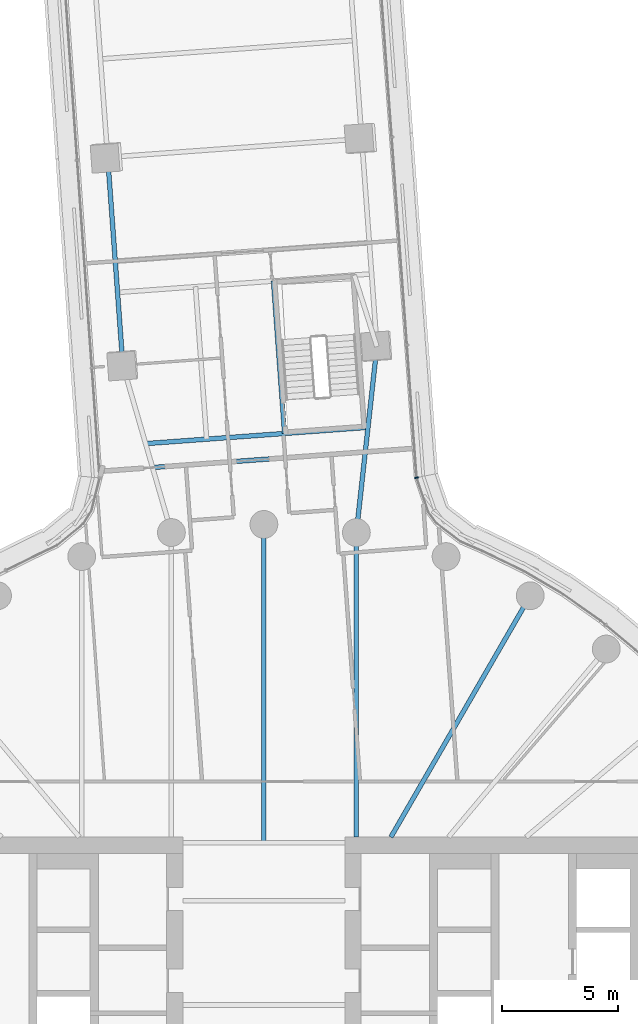
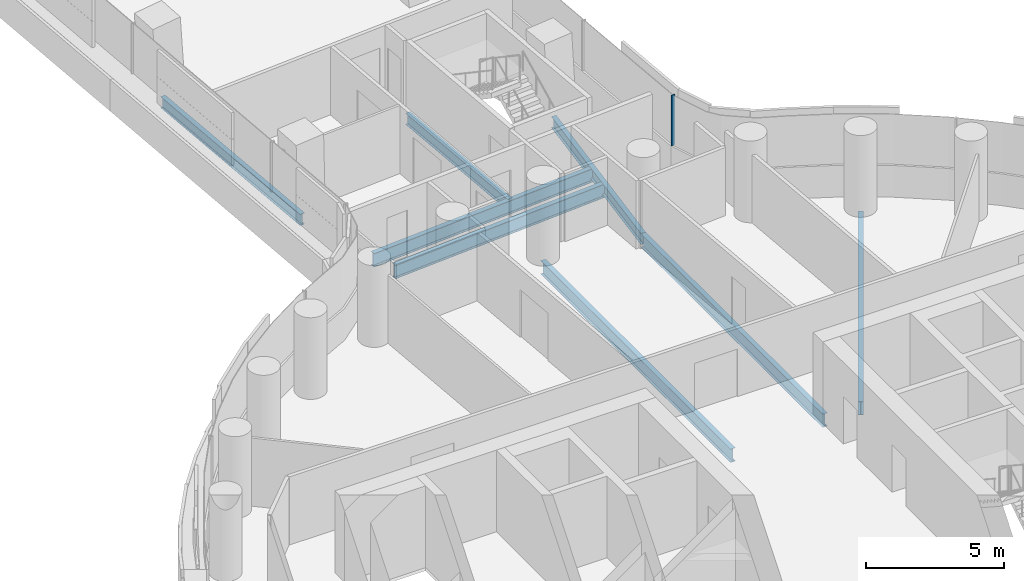
# One storey, part 14 of 31: 8 beams, 1 member, 1 element without a shape of its own.
"""IFC4 building model written with IfcOpenShell, lengths in metres."""

from ifc_helpers import new_model, si_unit, direction, frame, origin, origin_2d, place, context, subcontext, project, spatial, rectangle, i_section, extrude, material, layer, layer_set, material_profile, profile_set, type_object, element, aggregate, save


model = new_model("IFC4")

# Units and contexts
model_context = context("Model", 3, precision=1e-05, world=origin(), true_north=direction((0.0, 1.0)))
body_context = subcontext(model_context, "Body", "Model", "MODEL_VIEW")
ifc_project = project(units=[si_unit("LENGTHUNIT", "METRE"), si_unit("AREAUNIT", "SQUARE_METRE"), si_unit("VOLUMEUNIT", "CUBIC_METRE"), si_unit("PLANEANGLEUNIT", "RADIAN"), si_unit("MASSUNIT", "GRAM", prefix="KILO")], contexts=[model_context])

# Site, building, storey
site_placement = place(None, origin())
site = spatial("IfcSite", under=ifc_project, at=site_placement, CompositionType="ELEMENT")
building_placement = place(site_placement, origin())
building = spatial("IfcBuilding", under=site, at=building_placement, Name="Tamarind Cross Interchange Tower", CompositionType="ELEMENT")
storey_placement = place(building_placement, frame((0.0, 0.0, 49.0)))
storey = spatial("IfcBuildingStorey", under=building, at=storey_placement, Name="L10", CompositionType="ELEMENT", Elevation=49.0)

# Beams
ifc_material_1 = material(Name="Steel Q355B", Category="steel")
ifc_material_profile_1 = material_profile(ifc_material_1, i_section(OverallWidth=0.198974609375, OverallDepth=0.49609375, WebThickness=0.009033203125, FlangeThickness=0.013916015625, FilletRadius=0.012939453125, at=origin_2d()), Name="HN 496x199x9x14")
ifc_profile_set_1 = profile_set([ifc_material_profile_1], Name="Steel Q355B")
beam_type_1 = type_object("IfcBeamType", Name="Composite beam HN 496x199x9x14 Q355B", PredefinedType="BEAM", material=ifc_profile_set_1)
beam_1_placement = place(storey_placement, frame((-6.74609375, 38.853271484375, -0.387939453125), z_axis=(0.072862443863, -0.997341999654, 0.0), x_axis=(0.997341999654, 0.072862443863, 0.0)))
element("IfcBeam", 1, at=beam_1_placement, inside=storey, type_object=beam_type_1, Name="Beam N-edgeep3", PredefinedType="BEAM", context=body_context, shape_type="SweptSolid", body=[
    extrude(i_section(OverallWidth=0.198974609375, OverallDepth=0.49609375, WebThickness=0.009033203125, FlangeThickness=0.013916015625, FilletRadius=0.012939453125, at=origin_2d()), origin(), (0.0, 0.0, 1.0), 9.0),
])
beam_2_placement = place(storey_placement, frame((4.880615234375, 30.6787109375, -0.387939453125), z_axis=(-0.109784570528, -0.993955405475, 0.0), x_axis=(0.993955405475, -0.109784570528, 0.0)))
element("IfcBeam", 2, at=beam_2_placement, inside=storey, type_object=beam_type_1, Name="Beam N-linkem", PredefinedType="BEAM", context=body_context, shape_type="SweptSolid", body=[
    extrude(i_section(OverallWidth=0.198974609375, OverallDepth=0.49609375, WebThickness=0.009033203125, FlangeThickness=0.013916015625, FilletRadius=0.012939453125, at=origin_2d()), origin(), (0.0, 0.0, 1.0), 8.076904296875),
])
beam_3_placement = place(storey_placement, frame((0.893310546875, 26.92822265625, -0.387939453125), z_axis=(-0.072871538843, 0.997341335164, 0.0), x_axis=(-0.997341335164, -0.072871538843, 0.0)))
element("IfcBeam", 3, at=beam_3_placement, inside=storey, type_object=beam_type_1, Name="Beam N-tr1", PredefinedType="BEAM", context=body_context, shape_type="SweptSolid", body=[
    extrude(i_section(OverallWidth=0.198974609375, OverallDepth=0.49609375, WebThickness=0.009033203125, FlangeThickness=0.013916015625, FilletRadius=0.012939453125, at=origin_2d()), origin(), (0.0, 0.0, 1.0), 6.60009765625),
])
ifc_material_profile_2 = material_profile(ifc_material_1, i_section(OverallWidth=0.198974609375, OverallDepth=0.595947265625, WebThickness=0.010009765625, FlangeThickness=0.014892578125, FilletRadius=0.012939453125, at=origin_2d()), Name="HN 596x199x10x15")
ifc_profile_set_2 = profile_set([ifc_material_profile_2], Name="Steel Q355B")
beam_type_2 = type_object("IfcBeamType", Name="Composite beam HN 596x199x10x15 Q355B", PredefinedType="BEAM", material=ifc_profile_set_2)
beam_4_placement = place(storey_placement, frame((11.5, 19.918701171875, -0.43798828125), z_axis=(-0.499993565836, -0.866029118519, 0.0), x_axis=(0.866029118519, -0.499993565836, 0.0)))
element("IfcBeam", 4, at=beam_4_placement, inside=storey, type_object=beam_type_2, Name="Beam HH06", PredefinedType="BEAM", context=body_context, shape_type="SweptSolid", body=[
    extrude(i_section(OverallWidth=0.198974609375, OverallDepth=0.595947265625, WebThickness=0.010009765625, FlangeThickness=0.014892578125, FilletRadius=0.012939453125, at=origin_2d()), origin(), (0.0, 0.0, 1.0), 12.030517578125),
])
beam_5_placement = place(storey_placement, frame((3.993896484375, 22.650634765625, -0.43798828125), z_axis=(0.0, -1.0, 0.0), x_axis=(1.0, 0.0, 0.0)))
element("IfcBeam", 5, at=beam_5_placement, inside=storey, type_object=beam_type_2, Name="Beam HH08", PredefinedType="BEAM", context=body_context, shape_type="SweptSolid", body=[
    extrude(i_section(OverallWidth=0.198974609375, OverallDepth=0.595947265625, WebThickness=0.010009765625, FlangeThickness=0.014892578125, FilletRadius=0.012939453125, at=origin_2d()), origin(), (0.0, 0.0, 1.0), 13.150634765625),
])
beam_6_placement = place(storey_placement, frame((0.0, 23.0, -0.43798828125), z_axis=(0.0, -1.0, 0.0), x_axis=(1.0, 0.0, 0.0)))
element("IfcBeam", 6, at=beam_6_placement, inside=storey, type_object=beam_type_2, Name="Beam HH09", PredefinedType="BEAM", context=body_context, shape_type="SweptSolid", body=[
    extrude(i_section(OverallWidth=0.198974609375, OverallDepth=0.595947265625, WebThickness=0.010009765625, FlangeThickness=0.014892578125, FilletRadius=0.012939453125, at=origin_2d()), origin(), (0.0, 0.0, 1.0), 13.75),
])
ifc_material_profile_3 = material_profile(ifc_material_1, i_section(OverallWidth=0.199951171875, OverallDepth=0.60009765625, WebThickness=0.010986328125, FlangeThickness=0.01708984375, FilletRadius=0.012939453125, at=origin_2d()), Name="HN 600x200x11x17")
ifc_profile_set_3 = profile_set([ifc_material_profile_3], Name="Steel Q355B")
beam_type_3 = type_object("IfcBeamType", Name="Composite beam HN 600x200x11x17 Q355B", PredefinedType="BEAM", material=ifc_profile_set_3)
beam_7_placement = place(storey_placement, frame((4.495361328125, 27.19140625, -0.43994140625), z_axis=(-0.997341279939, -0.07287229467, 0.0), x_axis=(0.07287229467, -0.997341279939, 0.0)))
element("IfcBeam", 7, at=beam_7_placement, inside=storey, type_object=beam_type_3, Name="Beam N-x268", PredefinedType="BEAM", context=body_context, shape_type="SweptSolid", body=[
    extrude(i_section(OverallWidth=0.199951171875, OverallDepth=0.60009765625, WebThickness=0.010986328125, FlangeThickness=0.01708984375, FilletRadius=0.012939453125, at=origin_2d()), origin(), (0.0, 0.0, 1.0), 9.628662109375),
])
beam_8_placement = place(storey_placement, frame((4.378173828125, 26.130126953125, -0.43994140625), z_axis=(-0.997340165485, -0.072887545645, 0.0), x_axis=(0.072887545645, -0.997340165485, 0.0)))
element("IfcBeam", 8, at=beam_8_placement, inside=storey, type_object=beam_type_3, Name="Beam N-x258", PredefinedType="BEAM", context=body_context, shape_type="SweptSolid", body=[
    extrude(i_section(OverallWidth=0.199951171875, OverallDepth=0.60009765625, WebThickness=0.010986328125, FlangeThickness=0.01708984375, FilletRadius=0.012939453125, at=origin_2d()), origin(), (0.0, 0.0, 1.0), 9.211181640625),
])

# Curtain wall, member
ifc_material_2 = material(Name="Aluminium 6063-T6", Category="aluminium")
ifc_layer = layer(ifc_material_2, 0.159912109375)
ifc_layer_set = layer_set([ifc_layer], Name="Aluminium 6063-T6")
curtain_wall_type = type_object("IfcCurtainWallType", Name="Office curtain wall, 9.0 m bays", PredefinedType="NOTDEFINED", material=ifc_layer_set)
curtain_wall_placement = place(storey_placement, origin())
curtain_wall = element("IfcCurtainWall", 9, at=curtain_wall_placement, inside=storey, type_object=curtain_wall_type, Name="CWS-L10-15", PredefinedType="NOTDEFINED")
ifc_material_profile_4 = material_profile(ifc_material_2, rectangle(XDim=0.06005859375, YDim=0.159912109375, at=origin_2d()), Name="Mullion CW1")
ifc_profile_set_4 = profile_set([ifc_material_profile_4], Name="Aluminium 6063-T6")
member_type = type_object("IfcMemberType", Name="Mullion CW1", PredefinedType="MULLION", material=ifc_profile_set_4)
member_placement = place(storey_placement, frame((6.597412109375, 25.01953125, 1.39990234375), z_axis=(0.0, 0.0, 1.0), x_axis=(-0.199434581834, 0.97991114269, 0.0)))
member = element("IfcMember", 10, at=member_placement, type_object=member_type, Name="CWM-L10-15-00", PredefinedType="MULLION", context=body_context, shape_type="SweptSolid", body=[
    extrude(rectangle(XDim=0.06005859375, YDim=0.159912109375, at=origin_2d()), origin(), (0.0, 0.0, 1.0), 2.210205078125),
])
aggregate(curtain_wall, [member])

save(model, "model.ifc")
